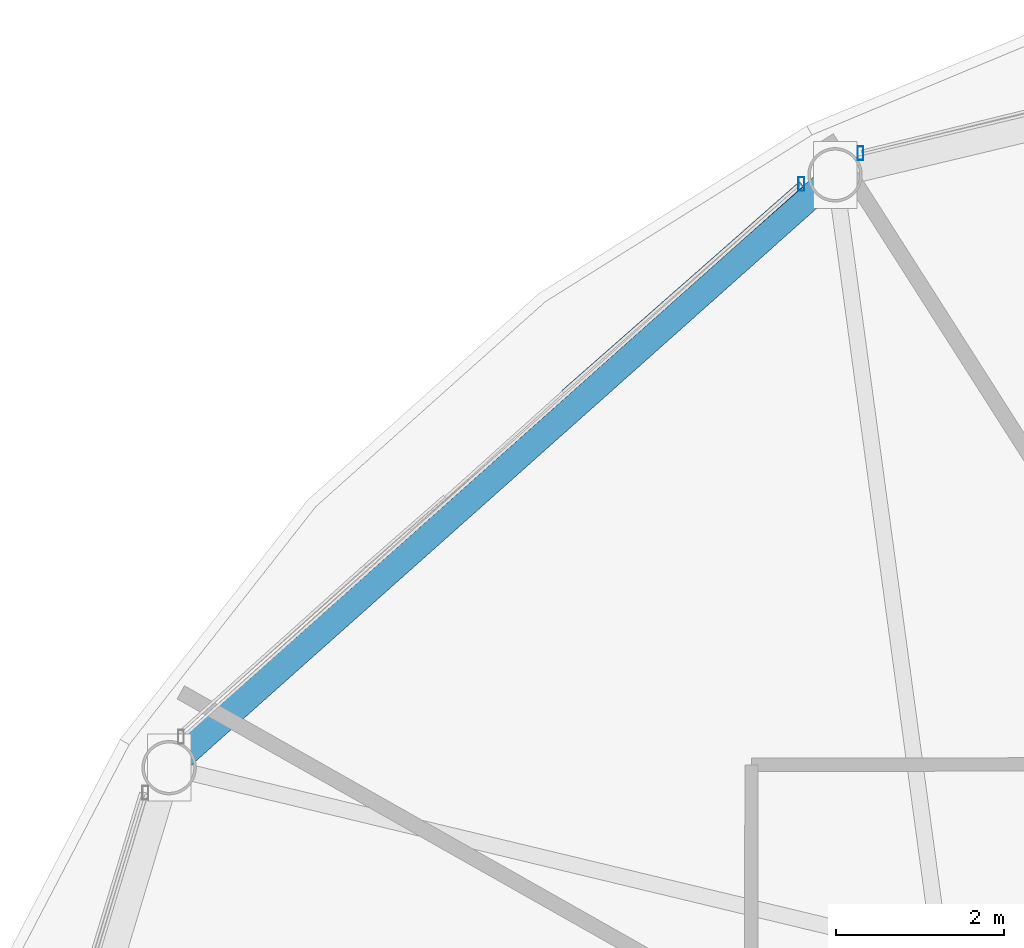
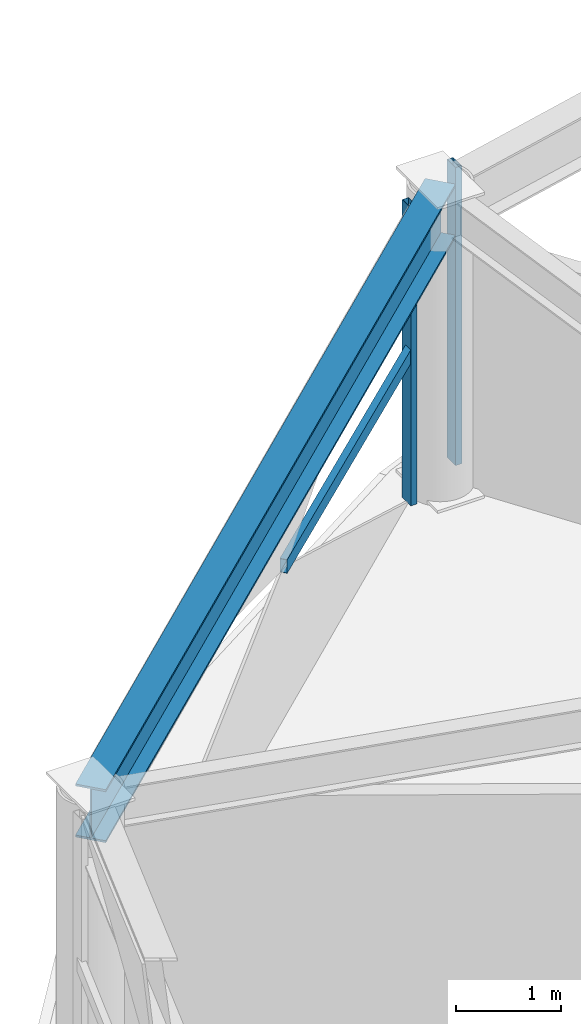
# One storey, part 16 of 28: 3 members, 1 beam, 2 elements without a shape of their own.
"""IFC4 building model written with IfcOpenShell, lengths in metres."""

from ifc_helpers import new_model, si_unit, direction, frame, origin, origin_2d, place, context, subcontext, project, spatial, hollow_rectangle, i_section, extrude, material, layer, layer_set, material_profile, profile_set, type_object, element, aggregate, save


model = new_model("IFC4")

# Units and contexts
model_context = context("Model", 3, precision=1e-05, world=origin(), true_north=direction((0.0, 1.0)))
body_context = subcontext(model_context, "Body", "Model", "MODEL_VIEW")
ifc_project = project(units=[si_unit("LENGTHUNIT", "METRE"), si_unit("AREAUNIT", "SQUARE_METRE"), si_unit("VOLUMEUNIT", "CUBIC_METRE"), si_unit("PLANEANGLEUNIT", "RADIAN"), si_unit("MASSUNIT", "GRAM", prefix="KILO")], contexts=[model_context])

# Site, building, storey
site_placement = place(None, origin())
site = spatial("IfcSite", under=ifc_project, at=site_placement, CompositionType="ELEMENT")
building_placement = place(site_placement, origin())
building = spatial("IfcBuilding", under=site, at=building_placement, Name="Vantalir Tower", CompositionType="ELEMENT")
storey_placement = place(building_placement, frame((0.0, 0.0, 246.14990234375)))
storey = spatial("IfcBuildingStorey", under=building, at=storey_placement, Name="L62", CompositionType="ELEMENT", Elevation=246.14990234375)

# Beam
ifc_material_1 = material(Name="Steel S460", Category="steel")
ifc_material_profile_1 = material_profile(ifc_material_1, i_section(OverallWidth=0.306884765625, OverallDepth=0.6201171875, WebThickness=0.01416015625, FlangeThickness=0.023681640625, at=origin_2d()), Name="Steel S460")
ifc_profile_set_1 = profile_set([ifc_material_profile_1], Name="Steel S460")
beam_type = type_object("IfcBeamType", Name="BM-RG-610x305", PredefinedType="USERDEFINED", material=ifc_profile_set_1)
beam_placement = place(storey_placement, frame((20.64111328125, 41.742919921875, 3.260009765625), z_axis=(-0.746899058065, -0.664937438456, 0.0), x_axis=(0.664937438456, -0.746899058065, 0.0)))
element("IfcBeam", 1, at=beam_placement, inside=storey, type_object=beam_type, Name="L62 Circumferential Ring Girder 05", ObjectType="GIRDER", PredefinedType="USERDEFINED", context=body_context, shape_type="SweptSolid", body=[
    extrude(i_section(OverallWidth=0.306884765625, OverallDepth=0.6201171875, WebThickness=0.01416015625, FlangeThickness=0.023681640625, at=origin_2d()), origin(), (0.0, 0.0, 1.0), 10.64306640625),
])

# Curtain wall, member
ifc_material_2 = material(Name="Champagne-silver PVDF aluminium and double-silver Low-E glass", Category="aluminium")
ifc_layer = layer(ifc_material_2, 0.2099609375)
ifc_layer_set = layer_set([ifc_layer], Name="Champagne-silver PVDF aluminium and double-silver Low-E glass")
curtain_wall_type = type_object("IfcCurtainWallType", Name="CW-DIAMOND-Z3", PredefinedType="USERDEFINED", material=ifc_layer_set)
curtain_wall_1_placement = place(storey_placement, origin())
curtain_wall_1 = element("IfcCurtainWall", 2, at=curtain_wall_1_placement, inside=storey, type_object=curtain_wall_type, Name="L62 Quilted Pyramid-Diamond Curtain Wall S04", ObjectType="UNITISED CURTAIN WALL", PredefinedType="USERDEFINED")
ifc_material_3 = material(Name="Champagne-silver PVDF aluminium 6063-T6", Category="aluminium")
ifc_material_profile_2 = material_profile(ifc_material_3, hollow_rectangle(XDim=0.070068359375, YDim=0.1650390625, WallThickness=0.00390625, at=origin_2d()), Name="Champagne-silver PVDF aluminium 6063-T6")
ifc_profile_set_2 = profile_set([ifc_material_profile_2], Name="Champagne-silver PVDF aluminium 6063-T6")
member_type_1 = type_object("IfcMemberType", Name="CWM-165x70", PredefinedType="MULLION", material=ifc_profile_set_2)
member_1_placement = place(storey_placement, frame((20.945068359375, 42.001953125, 0.045166015625), z_axis=(0.0, 0.0, 1.0), x_axis=(1.0, 0.0, 0.0)))
member_1 = element("IfcMember", 3, at=member_1_placement, type_object=member_type_1, Name="CW-L62-S04 Mullion 2", PredefinedType="MULLION", context=body_context, shape_type="SweptSolid", body=[
    extrude(hollow_rectangle(XDim=0.070068359375, YDim=0.1650390625, WallThickness=0.00390625, at=origin_2d()), origin(), (0.0, 0.0, 1.0), 3.47998046875),
])
aggregate(curtain_wall_1, [member_1])

# Curtain wall, members
curtain_wall_2_placement = place(storey_placement, origin())
curtain_wall_2 = element("IfcCurtainWall", 4, at=curtain_wall_2_placement, inside=storey, type_object=curtain_wall_type, Name="L62 Quilted Pyramid-Diamond Curtain Wall S05", ObjectType="UNITISED CURTAIN WALL", PredefinedType="USERDEFINED")
member_2_placement = place(storey_placement, frame((20.239990234375, 41.634033203125, 0.045166015625), z_axis=(0.0, 0.0, 1.0), x_axis=(1.0, 0.0, 0.0)))
member_2 = element("IfcMember", 5, at=member_2_placement, type_object=member_type_1, Name="CW-L62-S05 Mullion 1", PredefinedType="MULLION", context=body_context, shape_type="SweptSolid", body=[
    extrude(hollow_rectangle(XDim=0.070068359375, YDim=0.1650390625, WallThickness=0.00390625, at=origin_2d()), origin(), (0.0, 0.0, 1.0), 3.47998046875),
])
ifc_material_profile_3 = material_profile(ifc_material_3, hollow_rectangle(XDim=0.074951171875, YDim=0.159912109375, WallThickness=0.00390625, at=origin_2d()), Name="Champagne-silver PVDF aluminium 6063-T6")
ifc_profile_set_3 = profile_set([ifc_material_profile_3], Name="Champagne-silver PVDF aluminium 6063-T6")
member_type_2 = type_object("IfcMemberType", Name="CWT-160x75", PredefinedType="USERDEFINED", material=ifc_profile_set_3)
member_3_placement = place(storey_placement, frame((20.239990234375, 41.634033203125, 1.78515625), z_axis=(-0.75087400777, -0.660445474248, 0.0), x_axis=(0.660445474248, -0.75087400777, 0.0)))
member_3 = element("IfcMember", 6, at=member_3_placement, type_object=member_type_2, Name="CW-L62-S05 Pyramid Fold Ridge Transom", ObjectType="TRANSOM", PredefinedType="USERDEFINED", context=body_context, shape_type="SweptSolid", body=[
    extrude(hollow_rectangle(XDim=0.074951171875, YDim=0.159912109375, WallThickness=0.00390625, at=origin_2d()), origin(), (0.0, 0.0, 1.0), 3.771728515625),
])
aggregate(curtain_wall_2, [member_2, member_3])

save(model, "model.ifc")
